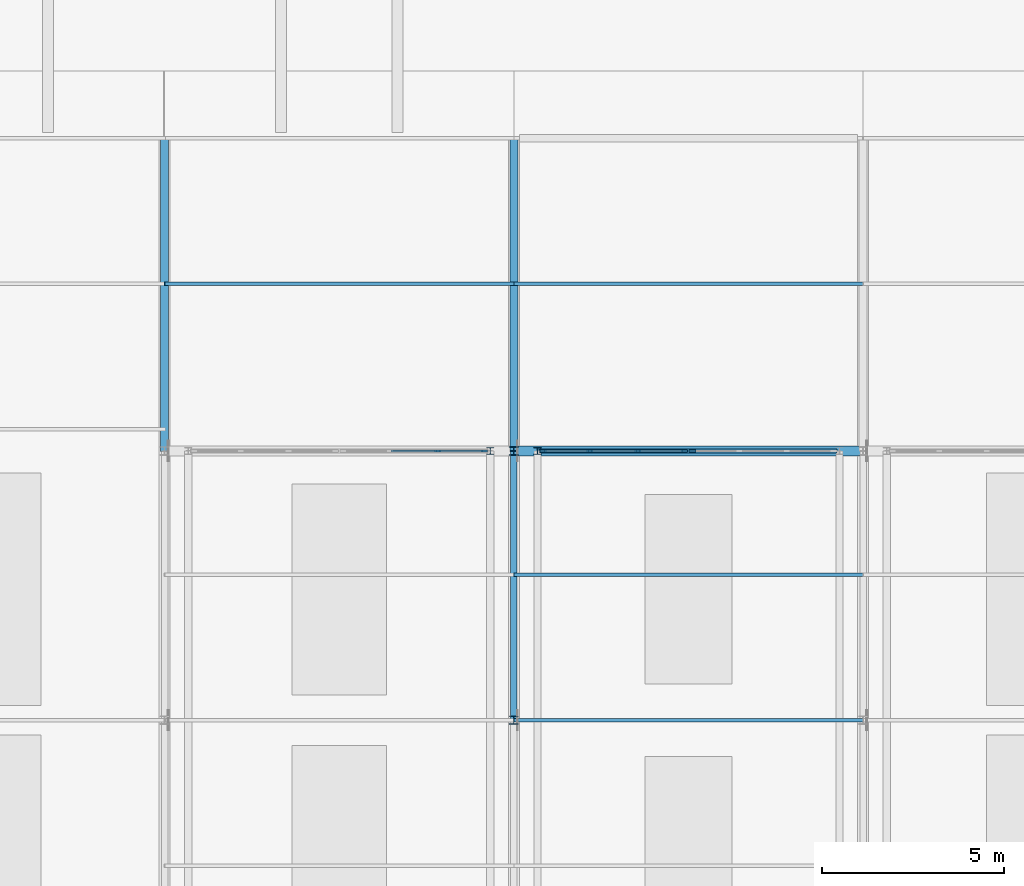
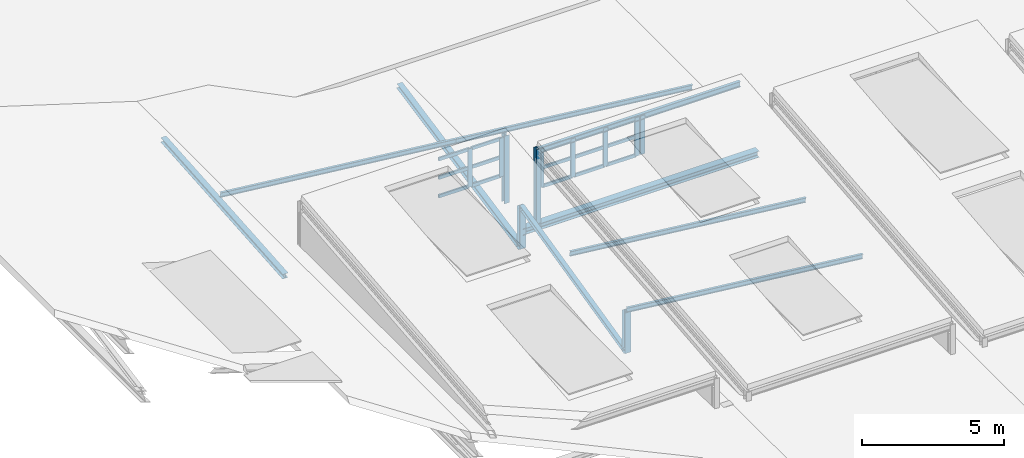
# One storey, part 9 of 30: 33 members, 2 beams, 3 elements without a shape of their own.
"""IFC4 building model written with IfcOpenShell, lengths in metres."""

from ifc_helpers import new_model, si_unit, direction, frame, origin, origin_2d, place, context, subcontext, project, spatial, rectangle, i_section, extrude, material, layer, layer_set, material_profile, profile_set, type_object, element, aggregate, save


model = new_model("IFC4")

# Units and contexts
model_context = context("Model", 3, precision=1e-05, world=origin(), true_north=direction((0.0, 1.0)))
body_context = subcontext(model_context, "Body", "Model", "MODEL_VIEW")
ifc_project = project(units=[si_unit("LENGTHUNIT", "METRE"), si_unit("AREAUNIT", "SQUARE_METRE"), si_unit("VOLUMEUNIT", "CUBIC_METRE"), si_unit("PLANEANGLEUNIT", "RADIAN"), si_unit("MASSUNIT", "GRAM", prefix="KILO")], contexts=[model_context])

# Site, building, storey
site_placement = place(None, origin())
site = spatial("IfcSite", under=ifc_project, at=site_placement, CompositionType="ELEMENT")
building_placement = place(site_placement, origin())
building = spatial("IfcBuilding", under=site, at=building_placement, Name="Alderhovde Museum", CompositionType="ELEMENT")
storey_placement = place(building_placement, frame((0.0, 0.0, 30.699951171875)))
storey = spatial("IfcBuildingStorey", under=building, at=storey_placement, Name="RF", CompositionType="ELEMENT", Elevation=30.699951171875)

# Beams
ifc_material_1 = material(Name="Steel S355J2", Category="steel")
ifc_material_profile_1 = material_profile(ifc_material_1, i_section(OverallWidth=0.280029296875, OverallDepth=0.27001953125, WebThickness=0.008056640625, FlangeThickness=0.012939453125, FilletRadius=0.02392578125, at=origin_2d()), Name="HEA 280")
ifc_profile_set_1 = profile_set([ifc_material_profile_1], Name="Steel S355J2")
beam_type_1 = type_object("IfcBeamType", Name="BM-HEA280", PredefinedType="BEAM", material=ifc_profile_set_1)
beam_1_placement = place(storey_placement, frame((28.800048828125, 71.39990234375, -3.8466796875), z_axis=(1.0, 0.0, 0.0), x_axis=(0.0, 1.0, 0.0)))
element("IfcBeam", 1, at=beam_1_placement, inside=storey, type_object=beam_type_1, Name="Sawtooth Monitor Stringer Bay 3-N", PredefinedType="BEAM", context=body_context, shape_type="SweptSolid", body=[
    extrude(i_section(OverallWidth=0.280029296875, OverallDepth=0.27001953125, WebThickness=0.008056640625, FlangeThickness=0.012939453125, FilletRadius=0.02392578125, at=origin_2d()), origin(), (0.0, 0.0, 1.0), 9.599853515625),
])
ifc_material_2 = material(Name="Steel S355J2", Category="steel")
ifc_material_profile_2 = material_profile(ifc_material_2, i_section(OverallWidth=0.1201171875, OverallDepth=0.239990234375, WebThickness=0.006103515625, FlangeThickness=0.009765625, FilletRadius=0.014892578125, at=origin_2d()), Name="IPE 240")
ifc_profile_set_2 = profile_set([ifc_material_profile_2], Name="Steel S355J2")
beam_type_2 = type_object("IfcBeamType", Name="BM-IPE240", PredefinedType="BEAM", material=ifc_profile_set_2)
beam_2_placement = place(storey_placement, frame((29.510009765625, 71.39990234375, -0.63818359375), z_axis=(1.0, 0.0, 0.0), x_axis=(0.0, 1.0, 0.0)))
element("IfcBeam", 2, at=beam_2_placement, inside=storey, type_object=beam_type_2, Name="Sawtooth Monitor Wedge Rafter Bay 3-N", PredefinedType="BEAM", context=body_context, shape_type="SweptSolid", body=[
    extrude(i_section(OverallWidth=0.1201171875, OverallDepth=0.239990234375, WebThickness=0.006103515625, FlangeThickness=0.009765625, FilletRadius=0.014892578125, at=origin_2d()), origin(), (0.0, 0.0, 1.0), 8.179931640625),
])

# Curtain wall, members
ifc_material_3 = material(Name="Triple-Glazed Bronze-Anodised Curtain Wall", Category="glass")
ifc_layer = layer(ifc_material_3, 0.179931640625)
ifc_layer_set = layer_set([ifc_layer], Name="Triple-Glazed Bronze-Anodised Curtain Wall")
curtain_wall_type = type_object("IfcCurtainWallType", Name="CW-STIC-394x166", PredefinedType="USERDEFINED", material=ifc_layer_set)
curtain_wall_1_placement = place(storey_placement, origin())
curtain_wall_1 = element("IfcCurtainWall", 3, at=curtain_wall_1_placement, inside=storey, type_object=curtain_wall_type, Name="RF Stick Curtain Wall 168", ObjectType="STICK CURTAIN WALL", PredefinedType="USERDEFINED")
ifc_material_4 = material(Name="Bronze-Anodised Aluminium EN AW-6063-T6", Category="aluminium")
ifc_material_profile_3 = material_profile(ifc_material_4, rectangle(XDim=0.06494140625, YDim=0.179931640625, at=origin_2d()), Name="MULLION 65x180")
ifc_profile_set_3 = profile_set([ifc_material_profile_3], Name="Bronze-Anodised Aluminium EN AW-6063-T6")
member_type_1 = type_object("IfcMemberType", Name="CWM-65x180", PredefinedType="MULLION", material=ifc_profile_set_3)
member_1_placement = place(storey_placement, frame((26.706787109375, 71.39990234375, -1.22998046875), z_axis=(0.0, 0.0, 1.0), x_axis=(0.0, 1.0, 0.0)))
member_1 = element("IfcMember", 4, at=member_1_placement, type_object=member_type_1, Name="CW39 mullion 3", PredefinedType="MULLION", context=body_context, shape_type="SweptSolid", body=[
    extrude(rectangle(XDim=0.06494140625, YDim=0.179931640625, at=origin_2d()), origin(), (0.0, 0.0, 1.0), 1.659912109375),
])
member_2_placement = place(storey_placement, frame((27.987548828125, 71.39990234375, -1.22998046875), z_axis=(0.0, 0.0, 1.0), x_axis=(0.0, 1.0, 0.0)))
member_2 = element("IfcMember", 5, at=member_2_placement, type_object=member_type_1, Name="CW39 mullion 4", PredefinedType="MULLION", context=body_context, shape_type="SweptSolid", body=[
    extrude(rectangle(XDim=0.06494140625, YDim=0.179931640625, at=origin_2d()), origin(), (0.0, 0.0, 1.0), 1.659912109375),
])

curtain_wall_2_placement = place(storey_placement, origin())
curtain_wall_2 = element("IfcCurtainWall", 6, at=curtain_wall_2_placement, inside=storey, type_object=curtain_wall_type, Name="RF Stick Curtain Wall 169", ObjectType="STICK CURTAIN WALL", PredefinedType="USERDEFINED")
member_3_placement = place(storey_placement, frame((29.612548828125, 71.39990234375, -2.26806640625), z_axis=(0.0, 0.0, 1.0), x_axis=(0.0, 1.0, 0.0)))
member_3 = element("IfcMember", 7, at=member_3_placement, type_object=member_type_1, Name="CW39 mullion 1", PredefinedType="MULLION", context=body_context, shape_type="SweptSolid", body=[
    extrude(rectangle(XDim=0.06494140625, YDim=0.179931640625, at=origin_2d()), origin(), (0.0, 0.0, 1.0), 1.66015625),
])
member_4_placement = place(storey_placement, frame((30.893310546875, 71.39990234375, -2.26806640625), z_axis=(0.0, 0.0, 1.0), x_axis=(0.0, 1.0, 0.0)))
member_4 = element("IfcMember", 8, at=member_4_placement, type_object=member_type_1, Name="CW39 mullion 2", PredefinedType="MULLION", context=body_context, shape_type="SweptSolid", body=[
    extrude(rectangle(XDim=0.06494140625, YDim=0.179931640625, at=origin_2d()), origin(), (0.0, 0.0, 1.0), 1.66015625),
])
member_5_placement = place(storey_placement, frame((32.206787109375, 71.39990234375, -2.26806640625), z_axis=(0.0, 0.0, 1.0), x_axis=(0.0, 1.0, 0.0)))
member_5 = element("IfcMember", 9, at=member_5_placement, type_object=member_type_1, Name="CW39 mullion 3", PredefinedType="MULLION", context=body_context, shape_type="SweptSolid", body=[
    extrude(rectangle(XDim=0.06494140625, YDim=0.179931640625, at=origin_2d()), origin(), (0.0, 0.0, 1.0), 1.66015625),
])
member_6_placement = place(storey_placement, frame((33.487548828125, 71.39990234375, -2.26806640625), z_axis=(0.0, 0.0, 1.0), x_axis=(0.0, 1.0, 0.0)))
member_6 = element("IfcMember", 10, at=member_6_placement, type_object=member_type_1, Name="CW39 mullion 4", PredefinedType="MULLION", context=body_context, shape_type="SweptSolid", body=[
    extrude(rectangle(XDim=0.06494140625, YDim=0.179931640625, at=origin_2d()), origin(), (0.0, 0.0, 1.0), 1.66015625),
])

# Curtain wall, member
curtain_wall_3_placement = place(storey_placement, origin())
curtain_wall_3 = element("IfcCurtainWall", 11, at=curtain_wall_3_placement, inside=storey, type_object=curtain_wall_type, Name="RF Stick Curtain Wall 170", ObjectType="STICK CURTAIN WALL", PredefinedType="USERDEFINED")
member_7_placement = place(storey_placement, frame((33.71240234375, 71.39990234375, -2.26806640625), z_axis=(0.0, 0.0, 1.0), x_axis=(0.0, 1.0, 0.0)))
member_7 = element("IfcMember", 12, at=member_7_placement, type_object=member_type_1, Name="CW39 mullion 1", PredefinedType="MULLION", context=body_context, shape_type="SweptSolid", body=[
    extrude(rectangle(XDim=0.06494140625, YDim=0.179931640625, at=origin_2d()), origin(), (0.0, 0.0, 1.0), 1.66015625),
])
aggregate(curtain_wall_3, [member_7])

# Member
ifc_material_5 = material(Name="Bronze-Anodised Aluminium EN AW-6063-T6", Category="aluminium")
ifc_material_profile_4 = material_profile(ifc_material_5, rectangle(XDim=0.06494140625, YDim=0.139892578125, at=origin_2d()), Name="TRANSOM 65x140")
ifc_profile_set_4 = profile_set([ifc_material_profile_4], Name="Bronze-Anodised Aluminium EN AW-6063-T6")
member_type_2 = type_object("IfcMemberType", Name="CWT-65x140", PredefinedType="USERDEFINED", material=ifc_profile_set_4)
member_8_placement = place(storey_placement, frame((25.42578125, 71.39990234375, -1.197509765625), z_axis=(1.0, 0.0, 0.0), x_axis=(0.0, 1.0, 0.0)))
member_8 = element("IfcMember", 13, at=member_8_placement, type_object=member_type_2, Name="CW39 transom 2.1", ObjectType="TRANSOM", PredefinedType="USERDEFINED", context=body_context, shape_type="SweptSolid", body=[
    extrude(rectangle(XDim=0.06494140625, YDim=0.139892578125, at=origin_2d()), origin(), (0.0, 0.0, 1.0), 1.248291015625),
])

member_9_placement = place(storey_placement, frame((25.42578125, 71.39990234375, -0.39990234375), z_axis=(1.0, 0.0, 0.0), x_axis=(0.0, 1.0, 0.0)))
member_9 = element("IfcMember", 14, at=member_9_placement, type_object=member_type_2, Name="CW39 transom 2.2", ObjectType="TRANSOM", PredefinedType="USERDEFINED", context=body_context, shape_type="SweptSolid", body=[
    extrude(rectangle(XDim=0.06494140625, YDim=0.139892578125, at=origin_2d()), origin(), (0.0, 0.0, 1.0), 1.248291015625),
])

member_10_placement = place(storey_placement, frame((25.42578125, 71.39990234375, 0.3974609375), z_axis=(1.0, 0.0, 0.0), x_axis=(0.0, 1.0, 0.0)))
member_10 = element("IfcMember", 15, at=member_10_placement, type_object=member_type_2, Name="CW39 transom 2.3", ObjectType="TRANSOM", PredefinedType="USERDEFINED", context=body_context, shape_type="SweptSolid", body=[
    extrude(rectangle(XDim=0.06494140625, YDim=0.139892578125, at=origin_2d()), origin(), (0.0, 0.0, 1.0), 1.248291015625),
])

member_11_placement = place(storey_placement, frame((26.7392578125, 71.39990234375, -1.197509765625), z_axis=(1.0, 0.0, 0.0), x_axis=(0.0, 1.0, 0.0)))
member_11 = element("IfcMember", 16, at=member_11_placement, type_object=member_type_2, Name="CW39 transom 3.1", ObjectType="TRANSOM", PredefinedType="USERDEFINED", context=body_context, shape_type="SweptSolid", body=[
    extrude(rectangle(XDim=0.06494140625, YDim=0.139892578125, at=origin_2d()), origin(), (0.0, 0.0, 1.0), 1.2158203125),
])

member_12_placement = place(storey_placement, frame((26.7392578125, 71.39990234375, -0.39990234375), z_axis=(1.0, 0.0, 0.0), x_axis=(0.0, 1.0, 0.0)))
member_12 = element("IfcMember", 17, at=member_12_placement, type_object=member_type_2, Name="CW39 transom 3.2", ObjectType="TRANSOM", PredefinedType="USERDEFINED", context=body_context, shape_type="SweptSolid", body=[
    extrude(rectangle(XDim=0.06494140625, YDim=0.139892578125, at=origin_2d()), origin(), (0.0, 0.0, 1.0), 1.2158203125),
])

member_13_placement = place(storey_placement, frame((26.7392578125, 71.39990234375, 0.3974609375), z_axis=(1.0, 0.0, 0.0), x_axis=(0.0, 1.0, 0.0)))
member_13 = element("IfcMember", 18, at=member_13_placement, type_object=member_type_2, Name="CW39 transom 3.3", ObjectType="TRANSOM", PredefinedType="USERDEFINED", context=body_context, shape_type="SweptSolid", body=[
    extrude(rectangle(XDim=0.06494140625, YDim=0.139892578125, at=origin_2d()), origin(), (0.0, 0.0, 1.0), 1.2158203125),
])

aggregate(curtain_wall_1, [member_1, member_2, member_8, member_9, member_10, member_11, member_12, member_13])

member_14_placement = place(storey_placement, frame((29.64501953125, 71.39990234375, -2.2353515625), z_axis=(1.0, 0.0, 0.0), x_axis=(0.0, 1.0, 0.0)))
member_14 = element("IfcMember", 19, at=member_14_placement, type_object=member_type_2, Name="CW39 transom 1.1", ObjectType="TRANSOM", PredefinedType="USERDEFINED", context=body_context, shape_type="SweptSolid", body=[
    extrude(rectangle(XDim=0.06494140625, YDim=0.139892578125, at=origin_2d()), origin(), (0.0, 0.0, 1.0), 1.2158203125),
])

member_15_placement = place(storey_placement, frame((29.64501953125, 71.39990234375, -1.43798828125), z_axis=(1.0, 0.0, 0.0), x_axis=(0.0, 1.0, 0.0)))
member_15 = element("IfcMember", 20, at=member_15_placement, type_object=member_type_2, Name="CW39 transom 1.2", ObjectType="TRANSOM", PredefinedType="USERDEFINED", context=body_context, shape_type="SweptSolid", body=[
    extrude(rectangle(XDim=0.06494140625, YDim=0.139892578125, at=origin_2d()), origin(), (0.0, 0.0, 1.0), 1.2158203125),
])

member_16_placement = place(storey_placement, frame((29.64501953125, 71.39990234375, -0.640380859375), z_axis=(1.0, 0.0, 0.0), x_axis=(0.0, 1.0, 0.0)))
member_16 = element("IfcMember", 21, at=member_16_placement, type_object=member_type_2, Name="CW39 transom 1.3", ObjectType="TRANSOM", PredefinedType="USERDEFINED", context=body_context, shape_type="SweptSolid", body=[
    extrude(rectangle(XDim=0.06494140625, YDim=0.139892578125, at=origin_2d()), origin(), (0.0, 0.0, 1.0), 1.2158203125),
])

member_17_placement = place(storey_placement, frame((30.92578125, 71.39990234375, -2.2353515625), z_axis=(1.0, 0.0, 0.0), x_axis=(0.0, 1.0, 0.0)))
member_17 = element("IfcMember", 22, at=member_17_placement, type_object=member_type_2, Name="CW39 transom 2.1", ObjectType="TRANSOM", PredefinedType="USERDEFINED", context=body_context, shape_type="SweptSolid", body=[
    extrude(rectangle(XDim=0.06494140625, YDim=0.139892578125, at=origin_2d()), origin(), (0.0, 0.0, 1.0), 1.248291015625),
])

member_18_placement = place(storey_placement, frame((30.92578125, 71.39990234375, -1.43798828125), z_axis=(1.0, 0.0, 0.0), x_axis=(0.0, 1.0, 0.0)))
member_18 = element("IfcMember", 23, at=member_18_placement, type_object=member_type_2, Name="CW39 transom 2.2", ObjectType="TRANSOM", PredefinedType="USERDEFINED", context=body_context, shape_type="SweptSolid", body=[
    extrude(rectangle(XDim=0.06494140625, YDim=0.139892578125, at=origin_2d()), origin(), (0.0, 0.0, 1.0), 1.248291015625),
])

member_19_placement = place(storey_placement, frame((30.92578125, 71.39990234375, -0.640380859375), z_axis=(1.0, 0.0, 0.0), x_axis=(0.0, 1.0, 0.0)))
member_19 = element("IfcMember", 24, at=member_19_placement, type_object=member_type_2, Name="CW39 transom 2.3", ObjectType="TRANSOM", PredefinedType="USERDEFINED", context=body_context, shape_type="SweptSolid", body=[
    extrude(rectangle(XDim=0.06494140625, YDim=0.139892578125, at=origin_2d()), origin(), (0.0, 0.0, 1.0), 1.248291015625),
])

member_20_placement = place(storey_placement, frame((32.2392578125, 71.39990234375, -2.2353515625), z_axis=(1.0, 0.0, 0.0), x_axis=(0.0, 1.0, 0.0)))
member_20 = element("IfcMember", 25, at=member_20_placement, type_object=member_type_2, Name="CW39 transom 3.1", ObjectType="TRANSOM", PredefinedType="USERDEFINED", context=body_context, shape_type="SweptSolid", body=[
    extrude(rectangle(XDim=0.06494140625, YDim=0.139892578125, at=origin_2d()), origin(), (0.0, 0.0, 1.0), 1.2158203125),
])

member_21_placement = place(storey_placement, frame((32.2392578125, 71.39990234375, -1.43798828125), z_axis=(1.0, 0.0, 0.0), x_axis=(0.0, 1.0, 0.0)))
member_21 = element("IfcMember", 26, at=member_21_placement, type_object=member_type_2, Name="CW39 transom 3.2", ObjectType="TRANSOM", PredefinedType="USERDEFINED", context=body_context, shape_type="SweptSolid", body=[
    extrude(rectangle(XDim=0.06494140625, YDim=0.139892578125, at=origin_2d()), origin(), (0.0, 0.0, 1.0), 1.2158203125),
])

member_22_placement = place(storey_placement, frame((32.2392578125, 71.39990234375, -0.640380859375), z_axis=(1.0, 0.0, 0.0), x_axis=(0.0, 1.0, 0.0)))
member_22 = element("IfcMember", 27, at=member_22_placement, type_object=member_type_2, Name="CW39 transom 3.3", ObjectType="TRANSOM", PredefinedType="USERDEFINED", context=body_context, shape_type="SweptSolid", body=[
    extrude(rectangle(XDim=0.06494140625, YDim=0.139892578125, at=origin_2d()), origin(), (0.0, 0.0, 1.0), 1.2158203125),
])

aggregate(curtain_wall_2, [member_3, member_4, member_5, member_6, member_14, member_15, member_16, member_17, member_18, member_19, member_20, member_21, member_22])

# Members
ifc_material_6 = material(Name="Steel S355J2", Category="steel")
ifc_material_profile_5 = material_profile(ifc_material_6, i_section(OverallWidth=0.10009765625, OverallDepth=0.199951171875, WebThickness=0.005615234375, FlangeThickness=0.008544921875, FilletRadius=0.011962890625, at=origin_2d()), Name="IPE 200")
ifc_profile_set_5 = profile_set([ifc_material_profile_5], Name="Steel S355J2")
member_type_3 = type_object("IfcMemberType", Name="PRL-IPE200", PredefinedType="PURLIN", material=ifc_profile_set_5)
member_23_placement = place(storey_placement, frame((19.199951171875, 76.0, -1.739990234375), z_axis=(0.994201715794, 0.0, -0.107531150432), x_axis=(0.0, 1.0, 0.0)))
element("IfcMember", 28, at=member_23_placement, inside=storey, type_object=member_type_3, Name="Folded Wing Roof Purlin Bay 2 Y=76", PredefinedType="PURLIN", context=body_context, shape_type="SweptSolid", body=[
    extrude(i_section(OverallWidth=0.10009765625, OverallDepth=0.199951171875, WebThickness=0.005615234375, FlangeThickness=0.008544921875, FilletRadius=0.011962890625, at=origin_2d()), origin(), (0.0, 0.0, 1.0), 9.656005859375),
])
for number, where, z_axis, x_axis, name in (
    (29, (28.800048828125, 64.0, -2.7783203125), (0.99420142343, 0.0, -0.107533853509), (0.0, 1.0, 0.0), "Folded Wing Roof Purlin Bay 3 Y=64"),
    (30, (28.800048828125, 68.0, -2.7783203125), (0.99420142343, 0.0, -0.107533853509), (0.0, 1.0, 0.0), "Folded Wing Roof Purlin Bay 3 Y=68"),
    (31, (28.800048828125, 76.0, -2.7783203125), (0.99420142343, 0.0, -0.107533853509), (0.0, 1.0, 0.0), "Folded Wing Roof Purlin Bay 3 Y=76"),
):
    element("IfcMember", number, at=place(storey_placement, frame(where, z_axis=z_axis, x_axis=x_axis)), inside=storey, type_object=member_type_3, Name=name, PredefinedType="PURLIN", context=body_context, shape_type="SweptSolid", body=[
        extrude(i_section(OverallWidth=0.10009765625, OverallDepth=0.199951171875, WebThickness=0.005615234375, FlangeThickness=0.008544921875, FilletRadius=0.011962890625, at=origin_2d()), origin(), (0.0, 0.0, 1.0), 9.65576171875),
    ])
ifc_material_7 = material(Name="Steel S355J2", Category="steel")
ifc_material_profile_6 = material_profile(ifc_material_7, i_section(OverallWidth=0.179931640625, OverallDepth=0.1708984375, WebThickness=0.006103515625, FlangeThickness=0.009521484375, FilletRadius=0.014892578125, at=origin_2d()), Name="HEA 180")
ifc_profile_set_6 = profile_set([ifc_material_profile_6], Name="Steel S355J2")
member_type_4 = type_object("IfcMemberType", Name="TR-DG-HEA180", PredefinedType="RAFTER", material=ifc_profile_set_6)
member_24_placement = place(storey_placement, frame((28.800048828125, 64.0, -4.558349609375), z_axis=(0.0, 0.973157163281, 0.230141555473), x_axis=(-1.0, 0.0, 0.0)))
element("IfcMember", 32, at=member_24_placement, inside=storey, type_object=member_type_4, Name="Sawtooth Roof Truss X=28.8 Web Diagonal 3", PredefinedType="RAFTER", context=body_context, shape_type="SweptSolid", body=[
    extrude(i_section(OverallWidth=0.179931640625, OverallDepth=0.1708984375, WebThickness=0.006103515625, FlangeThickness=0.009521484375, FilletRadius=0.014892578125, at=origin_2d()), origin(), (0.0, 0.0, 1.0), 7.60400390625),
])
ifc_material_8 = material(Name="Steel S355J2", Category="steel")
ifc_material_profile_7 = material_profile(ifc_material_8, i_section(OverallWidth=0.219970703125, OverallDepth=0.2099609375, WebThickness=0.007080078125, FlangeThickness=0.010986328125, FilletRadius=0.01806640625, at=origin_2d()), Name="HEA 220")
ifc_profile_set_7 = profile_set([ifc_material_profile_7], Name="Steel S355J2")
member_type_5 = type_object("IfcMemberType", Name="TR-DG-HEA220", PredefinedType="RAFTER", material=ifc_profile_set_7)
member_25_placement = place(storey_placement, frame((19.199951171875, 71.39990234375, -2.449951171875), z_axis=(0.0, 0.996889260878, 0.078814983011), x_axis=(-1.0, 0.0, 0.0)))
element("IfcMember", 33, at=member_25_placement, inside=storey, type_object=member_type_5, Name="Sawtooth Roof Truss X=19.2 Web Diagonal 4", PredefinedType="RAFTER", context=body_context, shape_type="SweptSolid", body=[
    extrude(i_section(OverallWidth=0.219970703125, OverallDepth=0.2099609375, WebThickness=0.007080078125, FlangeThickness=0.010986328125, FilletRadius=0.01806640625, at=origin_2d()), origin(), (0.0, 0.0, 1.0), 8.626953125),
])
member_26_placement = place(storey_placement, frame((28.800048828125, 71.39990234375, -4.558349609375), z_axis=(0.0, 0.97991824063, 0.199399703311), x_axis=(-1.0, 0.0, 0.0)))
element("IfcMember", 34, at=member_26_placement, inside=storey, type_object=member_type_5, Name="Sawtooth Roof Truss X=28.8 Web Diagonal 4", PredefinedType="RAFTER", context=body_context, shape_type="SweptSolid", body=[
    extrude(i_section(OverallWidth=0.219970703125, OverallDepth=0.2099609375, WebThickness=0.007080078125, FlangeThickness=0.010986328125, FilletRadius=0.01806640625, at=origin_2d()), origin(), (0.0, 0.0, 1.0), 8.7763671875),
])
ifc_material_9 = material(Name="Steel S355J2", Category="steel")
ifc_material_profile_8 = material_profile(ifc_material_9, i_section(OverallWidth=0.199951171875, OverallDepth=0.18994140625, WebThickness=0.006591796875, FlangeThickness=0.010009765625, FilletRadius=0.01806640625, at=origin_2d()), Name="HEA 200")
ifc_profile_set_8 = profile_set([ifc_material_profile_8], Name="Steel S355J2")
member_type_6 = type_object("IfcMemberType", Name="TR-PS-HEA200", PredefinedType="POST", material=ifc_profile_set_8)
member_27_placement = place(storey_placement, frame((28.14990234375, 71.39990234375, -2.39990234375), z_axis=(0.0, 0.0, 1.0), x_axis=(1.0, 0.0, 0.0)))
element("IfcMember", 35, at=member_27_placement, inside=storey, type_object=member_type_6, Name="Sawtooth Monitor Post Bay 2-3", PredefinedType="POST", context=body_context, shape_type="SweptSolid", body=[
    extrude(i_section(OverallWidth=0.199951171875, OverallDepth=0.18994140625, WebThickness=0.006591796875, FlangeThickness=0.010009765625, FilletRadius=0.01806640625, at=origin_2d()), origin(), (0.0, 0.0, 1.0), 2.919921875),
])
member_28_placement = place(storey_placement, frame((29.449951171875, 71.39990234375, -3.8466796875), z_axis=(0.0, 0.0, 1.0), x_axis=(1.0, 0.0, 0.0)))
element("IfcMember", 36, at=member_28_placement, inside=storey, type_object=member_type_6, Name="Sawtooth Monitor Post Bay 3-4", PredefinedType="POST", context=body_context, shape_type="SweptSolid", body=[
    extrude(i_section(OverallWidth=0.199951171875, OverallDepth=0.18994140625, WebThickness=0.006591796875, FlangeThickness=0.010009765625, FilletRadius=0.01806640625, at=origin_2d()), origin(), (0.0, 0.0, 1.0), 3.328369140625),
])
ifc_material_10 = material(Name="Steel S355J2", Category="steel")
ifc_material_profile_9 = material_profile(ifc_material_10, i_section(OverallWidth=0.239990234375, OverallDepth=0.22998046875, WebThickness=0.007568359375, FlangeThickness=0.011962890625, FilletRadius=0.02099609375, at=origin_2d()), Name="HEA 240")
ifc_profile_set_9 = profile_set([ifc_material_profile_9], Name="Steel S355J2")
member_type_7 = type_object("IfcMemberType", Name="TR-PS-HEA240", PredefinedType="POST", material=ifc_profile_set_9)
for number, where, z_axis, x_axis, name in (
    (37, (28.800048828125, 64.0, -4.558349609375), (0.0, 0.0, 1.0), (1.0, 0.0, 0.0), "Sawtooth Roof Truss X=28.8 Web Post 2"),
    (38, (28.800048828125, 71.39990234375, -4.558349609375), (0.0, 0.0, 1.0), (1.0, 0.0, 0.0), "Sawtooth Roof Truss X=28.8 Web Post 3"),
):
    element("IfcMember", number, at=place(storey_placement, frame(where, z_axis=z_axis, x_axis=x_axis)), inside=storey, type_object=member_type_7, Name=name, PredefinedType="POST", context=body_context, shape_type="SweptSolid", body=[
        extrude(i_section(OverallWidth=0.239990234375, OverallDepth=0.22998046875, WebThickness=0.007568359375, FlangeThickness=0.011962890625, FilletRadius=0.02099609375, at=origin_2d()), origin(), (0.0, 0.0, 1.0), 1.75),
    ])

save(model, "model.ifc")
